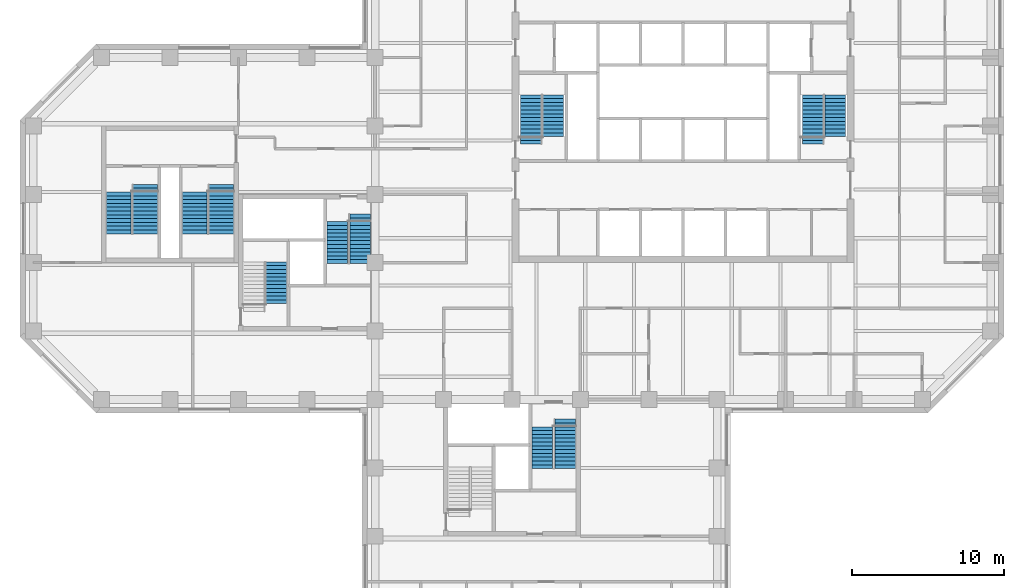
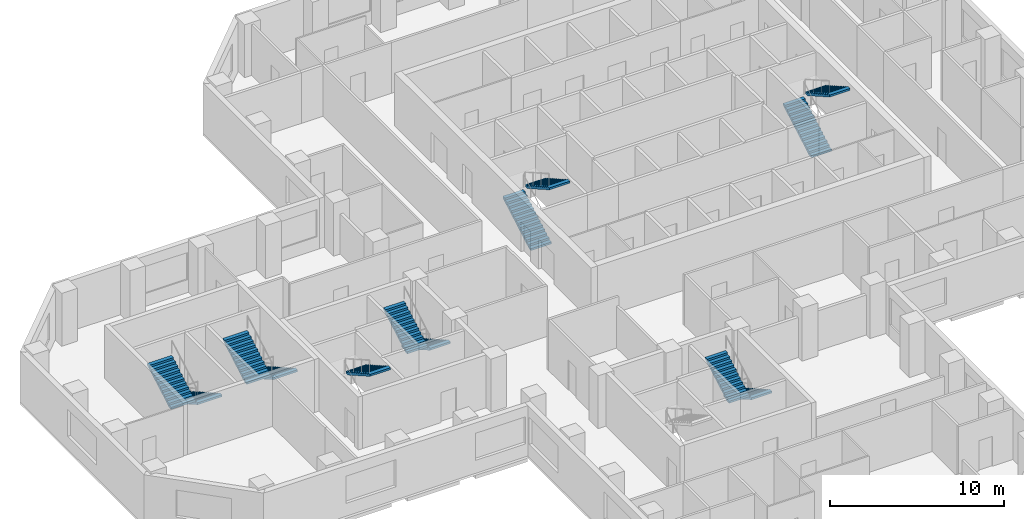
# One storey, part 10 of 11: 13 stair flights, 7 elements without a shape of their own.
"""IFC4 building model written with IfcOpenShell, lengths in metres."""

import ifcopenshell
import ifcopenshell.guid

model = None  # the IFC model being written
_history = None  # IfcOwnerHistory: only IFC2X3 demands one
_inside = {}  # id of a spatial element -> (the spatial element, [elements in it])
_under = {}  # id of a project, library or spatial element -> (it, [spatial elements below it])
_declared = {}  # id of a project -> (the project, [libraries it declares])
_typed = {}  # id of a type object -> (the type object, [elements of that type])
_made_of = {}  # id of a material, layer set ... -> (it, [elements and type objects made of it])


def new_model(schema):
    """Start an empty IFC model of exactly this schema.

    Asked for "IFC4X3", IfcOpenShell would pick the latest addendum, in which some entities
    have other attributes; the version numbers below select the first issue.
    IFC2X3 requires an IfcOwnerHistory on every rooted entity: one is made here for all.
    """
    global model, _history
    if schema == "IFC4X3":
        model = ifcopenshell.file(schema_version=(4, 3, 0, 0))
    else:
        model = ifcopenshell.file(schema=schema)
    _inside.clear()
    _under.clear()
    _declared.clear()
    _typed.clear()
    _made_of.clear()
    _history = None
    if model.schema == "IFC2X3":
        org = make("IfcOrganization", Name="unknown")
        user = make(
            "IfcPersonAndOrganization",
            ThePerson=make("IfcPerson", FamilyName="unknown"),
            TheOrganization=org,
        )
        app = make(
            "IfcApplication",
            ApplicationDeveloper=org,
            Version="unknown",
            ApplicationFullName="unknown",
            ApplicationIdentifier="unknown",
        )
        _history = make(
            "IfcOwnerHistory",
            OwningUser=user,
            OwningApplication=app,
            ChangeAction="ADDED",
            CreationDate=0,
        )
    return model


def make(cls, **values):
    """One entity of the class cls with the attributes given. An attribute that is None is left unset."""
    return model.create_entity(
        cls, **{name: value for name, value in values.items() if value is not None}
    )


def rooted(cls, **values):
    """An entity with a GlobalId (a new one), such as an element, a storey or a relation."""
    return make(cls, GlobalId=ifcopenshell.guid.new(), OwnerHistory=_history, **values)


def si_unit(unit_type, name, prefix=None):
    """IfcSIUnit, for example si_unit("LENGTHUNIT", "METRE", prefix="MILLI")."""
    return make("IfcSIUnit", UnitType=unit_type, Prefix=prefix, Name=name)


def assignment(units):
    """IfcUnitAssignment: the units of a project."""
    return None if units is None else make("IfcUnitAssignment", Units=units)


def point(xyz):
    """IfcCartesianPoint."""
    return None if xyz is None else make("IfcCartesianPoint", Coordinates=xyz)


def direction(xyz):
    """IfcDirection."""
    return None if xyz is None else make("IfcDirection", DirectionRatios=xyz)


def frame(location, z_axis=None, x_axis=None):
    """IfcAxis2Placement3D, a coordinate frame: its origin and axes. An axis left out is left unset."""
    return make(
        "IfcAxis2Placement3D",
        Location=point(location),
        Axis=direction(z_axis),
        RefDirection=direction(x_axis),
    )


def origin():
    """The frame at (0, 0, 0) with its axes left unset."""
    return frame((0.0, 0.0, 0.0))


def place(relative_to, where):
    """IfcLocalPlacement: puts the frame where relative to a parent placement (None: the world)."""
    return make(
        "IfcLocalPlacement", PlacementRelTo=relative_to, RelativePlacement=where
    )


def context(
    kind, dimensions, precision=None, world=None, true_north=None, identifier=None
):
    """IfcGeometricRepresentationContext, for example the 3D "Model" context."""
    return make(
        "IfcGeometricRepresentationContext",
        ContextIdentifier=identifier,
        ContextType=kind,
        CoordinateSpaceDimension=dimensions,
        Precision=precision,
        WorldCoordinateSystem=world,
        TrueNorth=true_north,
    )


def subcontext(parent, identifier, kind, view, scale=None):
    """IfcGeometricRepresentationSubContext, for example "Body" below "Model"."""
    return make(
        "IfcGeometricRepresentationSubContext",
        ContextIdentifier=identifier,
        ContextType=kind,
        ParentContext=parent,
        TargetScale=scale,
        TargetView=view,
    )


def project(units=None, contexts=None):
    """IfcProject with its units and contexts."""
    return rooted(
        "IfcProject",
        Name="project",
        RepresentationContexts=contexts,
        UnitsInContext=assignment(units),
    )


def spatial(cls, under=None, at=None, **own):
    """A site, building, storey or space (cls), placed at a placement, below another one or the project."""
    s = rooted(cls, ObjectPlacement=at, **own)
    if under is not None:
        _under.setdefault(under.id(), (under, []))[1].append(s)
    return s


def polyline(points):
    """IfcPolyline through the points."""
    return make("IfcPolyline", Points=[point(p) for p in points])


def outline(outer, holes=None, kind="AREA"):
    """IfcArbitraryClosedProfileDef: a profile drawn as a closed curve; with holes, ...WithVoids."""
    if holes is None:
        return make("IfcArbitraryClosedProfileDef", ProfileType=kind, OuterCurve=outer)
    return make(
        "IfcArbitraryProfileDefWithVoids",
        ProfileType=kind,
        OuterCurve=outer,
        InnerCurves=holes,
    )


def extrude(swept, where, along, depth):
    """IfcExtrudedAreaSolid: the profile swept, set in the frame where, extruded along a direction by depth."""
    return make(
        "IfcExtrudedAreaSolid",
        SweptArea=swept,
        Position=where,
        ExtrudedDirection=direction(along),
        Depth=depth,
    )


def shape(context_of_items, identifier, shape_type, items):
    """IfcShapeRepresentation: the items that make up one representation, for example the "Body"."""
    return make(
        "IfcShapeRepresentation",
        ContextOfItems=context_of_items,
        RepresentationIdentifier=identifier,
        RepresentationType=shape_type,
        Items=items,
    )


def material(Name=None, Category=None):
    """IfcMaterial."""
    return make("IfcMaterial", Name=Name, Category=Category)


def made_of(thing, what):
    """Note that an element or type object is made of a material, layer set ...; save() writes the relation."""
    if what is not None:
        _made_of.setdefault(what.id(), (what, []))[1].append(thing)
    return thing


def type_object(cls, material=None, **own):
    """A type object (cls), such as IfcWallType, which elements share."""
    return made_of(rooted(cls, **own), material)


def element(
    cls,
    number,
    at=None,
    inside=None,
    cuts=None,
    type_object=None,
    material=None,
    context=None,
    identifier="Body",
    shape_type=None,
    held_by="IfcProductDefinitionShape",
    body=None,
    shapes=None,
    **own,
):
    """One element of the class cls, such as IfcWall. Its Tag is "e" and its number.

    at: its placement. inside: the storey or other place that contains it. cuts: it is an
    opening in that element (IfcRelVoidsElement). A single representation is given by context,
    identifier, shape_type and body (its items); several are given by shapes. held_by: the class
    of the entity that holds the representations. save() writes the other relations.
    """
    e = rooted(cls, Tag="e%d" % number, ObjectPlacement=at, **own)
    if body is not None:
        shapes = [shape(context, identifier, shape_type, body)]
    if shapes is not None:
        e.Representation = make(held_by, Representations=shapes)
    if inside is not None:
        _inside.setdefault(inside.id(), (inside, []))[1].append(e)
    if cuts is not None:
        rooted(
            "IfcRelVoidsElement", RelatingBuildingElement=cuts, RelatedOpeningElement=e
        )
    if type_object is not None:
        _typed.setdefault(type_object.id(), (type_object, []))[1].append(e)
    return made_of(e, material)


def aggregate(whole, parts):
    """IfcRelAggregates: a whole, such as a stair, and the parts it consists of."""
    return rooted("IfcRelAggregates", RelatingObject=whole, RelatedObjects=parts)


def save(model, path):
    """Write the relations noted so far, then the file.

    IfcRelAggregates (storeys below a building ...), IfcRelContainedInSpatialStructure (elements
    in a storey), IfcRelDefinesByType, IfcRelAssociatesMaterial and IfcRelDeclares: one each for
    every whole, place, type object, material and project.
    """
    for whole, parts in _under.values():
        aggregate(whole, parts)
    for where, things in _inside.values():
        rooted(
            "IfcRelContainedInSpatialStructure",
            RelatedElements=things,
            RelatingStructure=where,
        )
    for kind, things in _typed.values():
        rooted("IfcRelDefinesByType", RelatedObjects=things, RelatingType=kind)
    for what, things in _made_of.values():
        rooted("IfcRelAssociatesMaterial", RelatedObjects=things, RelatingMaterial=what)
    for by, libraries in _declared.values():
        rooted("IfcRelDeclares", RelatingContext=by, RelatedDefinitions=libraries)
    model.write(path)


model = new_model("IFC4")

# Units and contexts
model_context = context("Model", 3, precision=1e-05, world=origin(), true_north=direction((0.0, 1.0)))
body_context = subcontext(model_context, "Body", "Model", "MODEL_VIEW")
ifc_project = project(units=[si_unit("LENGTHUNIT", "METRE"), si_unit("AREAUNIT", "SQUARE_METRE"), si_unit("VOLUMEUNIT", "CUBIC_METRE"), si_unit("PLANEANGLEUNIT", "RADIAN"), si_unit("MASSUNIT", "GRAM", prefix="KILO")], contexts=[model_context])

# Site, building, storey
site_placement = place(None, origin())
site = spatial("IfcSite", under=ifc_project, at=site_placement, CompositionType="ELEMENT")
building_placement = place(site_placement, origin())
building = spatial("IfcBuilding", under=site, at=building_placement, Name="Quoin Convention Tower", CompositionType="ELEMENT")
storey_placement = place(building_placement, frame((0.0, 0.0, 134.39990234375)))
storey = spatial("IfcBuildingStorey", under=building, at=storey_placement, Name="L35", CompositionType="ELEMENT", Elevation=134.39990234375)

# Stair, stair flights
ifc_material = material(Name="Concrete C40", Category="concrete")
stair_type_1 = type_object("IfcStairType", Name="Exit stair two-flight 1350", PredefinedType="HALF_TURN_STAIR", material=ifc_material)
stair_1_placement = place(storey_placement, origin())
stair_1 = element("IfcStair", 1, at=stair_1_placement, inside=storey, type_object=stair_type_1, Name="SD1 L35", PredefinedType="HALF_TURN_STAIR")
stair_flight_type_1 = type_object("IfcStairFlightType", Name="Stair flight 1350", PredefinedType="STRAIGHT", material=ifc_material)
stair_flight_1_placement = place(storey_placement, frame((46.22509765625, 57.300048828125, 0.0), z_axis=(0.0, 0.0, 1.0), x_axis=(0.0, 1.0, 0.0)))
stair_flight_1 = element("IfcStairFlight", 2, at=stair_flight_1_placement, type_object=stair_flight_type_1, Name="ST1 flight 1", NumberOfRisers=14, NumberOfTreads=13, PredefinedType="STRAIGHT", RiserHeight=0.142307692, TreadLength=0.25, context=body_context, shape_type="SweptSolid", body=[
    extrude(outline(polyline([(0.0, 0.0), (0.0, 0.142333984375), (0.25, 0.142333984375), (0.25, 0.28466796875), (0.5, 0.28466796875), (0.5, 0.427001953125), (0.75, 0.427001953125), (0.75, 0.5693359375), (1.0, 0.5693359375), (1.0, 0.71142578125), (1.25, 0.71142578125), (1.25, 0.853759765625), (1.5, 0.853759765625), (1.5, 0.99609375), (1.75, 0.99609375), (1.75, 1.138427734375), (2.0, 1.138427734375), (2.0, 1.28076171875), (2.25, 1.28076171875), (2.25, 1.423095703125), (2.5, 1.423095703125), (2.5, 1.5654296875), (2.75, 1.5654296875), (2.75, 1.707763671875), (3.0, 1.707763671875), (3.0, 1.85009765625), (3.25, 1.85009765625), (3.25, 1.9921875), (3.25, 1.711669921875), (0.242919921875, 0.0), (0.0, 0.0)])), frame((0.0, 0.675048828125, 0.0), z_axis=(0.0, -1.0, 0.0), x_axis=(1.0, 0.0, 0.0)), (0.0, 0.0, 1.0), 1.35009765625),
])
stair_flight_2_placement = place(storey_placement, frame((47.72509765625, 60.550048828125, 1.992431640625), z_axis=(0.0, 0.0, 1.0), x_axis=(0.0, -1.0, 0.0)))
stair_flight_2 = element("IfcStairFlight", 3, at=stair_flight_2_placement, type_object=stair_flight_type_1, Name="ST1 flight 2", NumberOfRisers=12, NumberOfTreads=11, PredefinedType="STRAIGHT", RiserHeight=0.142307692, TreadLength=0.25, context=body_context, shape_type="SweptSolid", body=[
    extrude(outline(polyline([(0.0, 0.0), (0.0, 0.142333984375), (0.25, 0.142333984375), (0.25, 0.28466796875), (0.5, 0.28466796875), (0.5, 0.427001953125), (0.75, 0.427001953125), (0.75, 0.5693359375), (1.0, 0.5693359375), (1.0, 0.71142578125), (1.25, 0.71142578125), (1.25, 0.853759765625), (1.5, 0.853759765625), (1.5, 0.99609375), (1.75, 0.99609375), (1.75, 1.138427734375), (2.0, 1.138427734375), (2.0, 1.28076171875), (2.25, 1.28076171875), (2.25, 1.423095703125), (2.5, 1.423095703125), (2.5, 1.5654296875), (2.75, 1.5654296875), (2.75, 1.707763671875), (2.75, 1.42724609375), (0.242919921875, 0.0), (0.0, 0.0)])), frame((0.0, 0.675048828125, 0.0), z_axis=(0.0, -1.0, 0.0), x_axis=(1.0, 0.0, 0.0)), (0.0, 0.0, 1.0), 1.35009765625),
])
aggregate(stair_1, [stair_flight_1, stair_flight_2])

stair_2_placement = place(storey_placement, origin())
stair_2 = element("IfcStair", 4, at=stair_2_placement, inside=storey, type_object=stair_type_1, Name="SD2 L35", PredefinedType="HALF_TURN_STAIR")
stair_flight_3_placement = place(storey_placement, frame((64.77490234375, 57.300048828125, 0.0), z_axis=(0.0, 0.0, 1.0), x_axis=(0.0, 1.0, 0.0)))
stair_flight_3 = element("IfcStairFlight", 5, at=stair_flight_3_placement, type_object=stair_flight_type_1, Name="ST2 flight 1", NumberOfRisers=14, NumberOfTreads=13, PredefinedType="STRAIGHT", RiserHeight=0.142307692, TreadLength=0.25, context=body_context, shape_type="SweptSolid", body=[
    extrude(outline(polyline([(0.0, 0.0), (0.0, 0.142333984375), (0.25, 0.142333984375), (0.25, 0.28466796875), (0.5, 0.28466796875), (0.5, 0.427001953125), (0.75, 0.427001953125), (0.75, 0.5693359375), (1.0, 0.5693359375), (1.0, 0.71142578125), (1.25, 0.71142578125), (1.25, 0.853759765625), (1.5, 0.853759765625), (1.5, 0.99609375), (1.75, 0.99609375), (1.75, 1.138427734375), (2.0, 1.138427734375), (2.0, 1.28076171875), (2.25, 1.28076171875), (2.25, 1.423095703125), (2.5, 1.423095703125), (2.5, 1.5654296875), (2.75, 1.5654296875), (2.75, 1.707763671875), (3.0, 1.707763671875), (3.0, 1.85009765625), (3.25, 1.85009765625), (3.25, 1.9921875), (3.25, 1.711669921875), (0.242919921875, 0.0), (0.0, 0.0)])), frame((0.0, 0.675048828125, 0.0), z_axis=(0.0, -1.0, 0.0), x_axis=(1.0, 0.0, 0.0)), (0.0, 0.0, 1.0), 1.35009765625),
])
stair_flight_4_placement = place(storey_placement, frame((66.27490234375, 60.550048828125, 1.992431640625), z_axis=(0.0, 0.0, 1.0), x_axis=(0.0, -1.0, 0.0)))
stair_flight_4 = element("IfcStairFlight", 6, at=stair_flight_4_placement, type_object=stair_flight_type_1, Name="ST2 flight 2", NumberOfRisers=12, NumberOfTreads=11, PredefinedType="STRAIGHT", RiserHeight=0.142307692, TreadLength=0.25, context=body_context, shape_type="SweptSolid", body=[
    extrude(outline(polyline([(0.0, 0.0), (0.0, 0.142333984375), (0.25, 0.142333984375), (0.25, 0.28466796875), (0.5, 0.28466796875), (0.5, 0.427001953125), (0.75, 0.427001953125), (0.75, 0.5693359375), (1.0, 0.5693359375), (1.0, 0.71142578125), (1.25, 0.71142578125), (1.25, 0.853759765625), (1.5, 0.853759765625), (1.5, 0.99609375), (1.75, 0.99609375), (1.75, 1.138427734375), (2.0, 1.138427734375), (2.0, 1.28076171875), (2.25, 1.28076171875), (2.25, 1.423095703125), (2.5, 1.423095703125), (2.5, 1.5654296875), (2.75, 1.5654296875), (2.75, 1.707763671875), (2.75, 1.42724609375), (0.242919921875, 0.0), (0.0, 0.0)])), frame((0.0, 0.675048828125, 0.0), z_axis=(0.0, -1.0, 0.0), x_axis=(1.0, 0.0, 0.0)), (0.0, 0.0, 1.0), 1.35009765625),
])
aggregate(stair_2, [stair_flight_3, stair_flight_4])

# Stair, stair flight
stair_3_placement = place(storey_placement, origin())
stair_3 = element("IfcStair", 7, at=stair_3_placement, inside=storey, type_object=stair_type_1, Name="SD3 L35", PredefinedType="HALF_TURN_STAIR")
stair_flight_5_placement = place(storey_placement, frame((29.5, 49.550048828125, 1.992431640625), z_axis=(0.0, 0.0, 1.0), x_axis=(0.0, -1.0, 0.0)))
stair_flight_5 = element("IfcStairFlight", 8, at=stair_flight_5_placement, type_object=stair_flight_type_1, Name="ST3 flight 2", NumberOfRisers=12, NumberOfTreads=11, PredefinedType="STRAIGHT", RiserHeight=0.142307692, TreadLength=0.25, context=body_context, shape_type="SweptSolid", body=[
    extrude(outline(polyline([(0.0, 0.0), (0.0, 0.142333984375), (0.25, 0.142333984375), (0.25, 0.28466796875), (0.5, 0.28466796875), (0.5, 0.427001953125), (0.75, 0.427001953125), (0.75, 0.5693359375), (1.0, 0.5693359375), (1.0, 0.71142578125), (1.25, 0.71142578125), (1.25, 0.853759765625), (1.5, 0.853759765625), (1.5, 0.99609375), (1.75, 0.99609375), (1.75, 1.138427734375), (2.0, 1.138427734375), (2.0, 1.28076171875), (2.25, 1.28076171875), (2.25, 1.423095703125), (2.5, 1.423095703125), (2.5, 1.5654296875), (2.75, 1.5654296875), (2.75, 1.707763671875), (2.75, 1.42724609375), (0.242919921875, 0.0), (0.0, 0.0)])), frame((0.0, 0.675048828125, 0.0), z_axis=(0.0, -1.0, 0.0), x_axis=(1.0, 0.0, 0.0)), (0.0, 0.0, 1.0), 1.35009765625),
])
aggregate(stair_3, [stair_flight_5])

# Stair, stair flights
stair_4_placement = place(storey_placement, origin())
stair_4 = element("IfcStair", 9, at=stair_4_placement, inside=storey, type_object=stair_type_1, Name="SD4 L35", PredefinedType="HALF_TURN_STAIR")
stair_flight_6_placement = place(storey_placement, frame((35.0, 52.699951171875, 0.0), z_axis=(0.0, 0.0, 1.0), x_axis=(0.0, -1.0, 0.0)))
stair_flight_6 = element("IfcStairFlight", 10, at=stair_flight_6_placement, type_object=stair_flight_type_1, Name="ST4 flight 1", NumberOfRisers=14, NumberOfTreads=13, PredefinedType="STRAIGHT", RiserHeight=0.142307692, TreadLength=0.25, context=body_context, shape_type="SweptSolid", body=[
    extrude(outline(polyline([(0.0, 0.0), (0.0, 0.142333984375), (0.25, 0.142333984375), (0.25, 0.28466796875), (0.5, 0.28466796875), (0.5, 0.427001953125), (0.75, 0.427001953125), (0.75, 0.5693359375), (1.0, 0.5693359375), (1.0, 0.71142578125), (1.25, 0.71142578125), (1.25, 0.853759765625), (1.5, 0.853759765625), (1.5, 0.99609375), (1.75, 0.99609375), (1.75, 1.138427734375), (2.0, 1.138427734375), (2.0, 1.28076171875), (2.25, 1.28076171875), (2.25, 1.423095703125), (2.5, 1.423095703125), (2.5, 1.5654296875), (2.75, 1.5654296875), (2.75, 1.707763671875), (3.0, 1.707763671875), (3.0, 1.85009765625), (3.25, 1.85009765625), (3.25, 1.9921875), (3.25, 1.711669921875), (0.242919921875, 0.0), (0.0, 0.0)])), frame((0.0, 0.675048828125, 0.0), z_axis=(0.0, -1.0, 0.0), x_axis=(1.0, 0.0, 0.0)), (0.0, 0.0, 1.0), 1.35009765625),
])
stair_flight_7_placement = place(storey_placement, frame((33.5, 49.449951171875, 1.992431640625), z_axis=(0.0, 0.0, 1.0), x_axis=(0.0, 1.0, 0.0)))
stair_flight_7 = element("IfcStairFlight", 11, at=stair_flight_7_placement, type_object=stair_flight_type_1, Name="ST4 flight 2", NumberOfRisers=12, NumberOfTreads=11, PredefinedType="STRAIGHT", RiserHeight=0.142307692, TreadLength=0.25, context=body_context, shape_type="SweptSolid", body=[
    extrude(outline(polyline([(0.0, 0.0), (0.0, 0.142333984375), (0.25, 0.142333984375), (0.25, 0.28466796875), (0.5, 0.28466796875), (0.5, 0.427001953125), (0.75, 0.427001953125), (0.75, 0.5693359375), (1.0, 0.5693359375), (1.0, 0.71142578125), (1.25, 0.71142578125), (1.25, 0.853759765625), (1.5, 0.853759765625), (1.5, 0.99609375), (1.75, 0.99609375), (1.75, 1.138427734375), (2.0, 1.138427734375), (2.0, 1.28076171875), (2.25, 1.28076171875), (2.25, 1.423095703125), (2.5, 1.423095703125), (2.5, 1.5654296875), (2.75, 1.5654296875), (2.75, 1.707763671875), (2.75, 1.42724609375), (0.242919921875, 0.0), (0.0, 0.0)])), frame((0.0, 0.675048828125, 0.0), z_axis=(0.0, -1.0, 0.0), x_axis=(1.0, 0.0, 0.0)), (0.0, 0.0, 1.0), 1.35009765625),
])
aggregate(stair_4, [stair_flight_6, stair_flight_7])

stair_5_placement = place(storey_placement, origin())
stair_5 = element("IfcStair", 12, at=stair_5_placement, inside=storey, type_object=stair_type_1, Name="SD6 L35", PredefinedType="HALF_TURN_STAIR")
stair_flight_8_placement = place(storey_placement, frame((48.5, 39.199951171875, 0.0), z_axis=(0.0, 0.0, 1.0), x_axis=(0.0, -1.0, 0.0)))
stair_flight_8 = element("IfcStairFlight", 13, at=stair_flight_8_placement, type_object=stair_flight_type_1, Name="ST6 flight 1", NumberOfRisers=14, NumberOfTreads=13, PredefinedType="STRAIGHT", RiserHeight=0.142307692, TreadLength=0.25, context=body_context, shape_type="SweptSolid", body=[
    extrude(outline(polyline([(0.0, 0.0), (0.0, 0.142333984375), (0.25, 0.142333984375), (0.25, 0.28466796875), (0.5, 0.28466796875), (0.5, 0.427001953125), (0.75, 0.427001953125), (0.75, 0.5693359375), (1.0, 0.5693359375), (1.0, 0.71142578125), (1.25, 0.71142578125), (1.25, 0.853759765625), (1.5, 0.853759765625), (1.5, 0.99609375), (1.75, 0.99609375), (1.75, 1.138427734375), (2.0, 1.138427734375), (2.0, 1.28076171875), (2.25, 1.28076171875), (2.25, 1.423095703125), (2.5, 1.423095703125), (2.5, 1.5654296875), (2.75, 1.5654296875), (2.75, 1.707763671875), (3.0, 1.707763671875), (3.0, 1.85009765625), (3.25, 1.85009765625), (3.25, 1.9921875), (3.25, 1.711669921875), (0.242919921875, 0.0), (0.0, 0.0)])), frame((0.0, 0.675048828125, 0.0), z_axis=(0.0, -1.0, 0.0), x_axis=(1.0, 0.0, 0.0)), (0.0, 0.0, 1.0), 1.35009765625),
])
stair_flight_9_placement = place(storey_placement, frame((47.0, 35.949951171875, 1.992431640625), z_axis=(0.0, 0.0, 1.0), x_axis=(0.0, 1.0, 0.0)))
stair_flight_9 = element("IfcStairFlight", 14, at=stair_flight_9_placement, type_object=stair_flight_type_1, Name="ST6 flight 2", NumberOfRisers=12, NumberOfTreads=11, PredefinedType="STRAIGHT", RiserHeight=0.142307692, TreadLength=0.25, context=body_context, shape_type="SweptSolid", body=[
    extrude(outline(polyline([(0.0, 0.0), (0.0, 0.142333984375), (0.25, 0.142333984375), (0.25, 0.28466796875), (0.5, 0.28466796875), (0.5, 0.427001953125), (0.75, 0.427001953125), (0.75, 0.5693359375), (1.0, 0.5693359375), (1.0, 0.71142578125), (1.25, 0.71142578125), (1.25, 0.853759765625), (1.5, 0.853759765625), (1.5, 0.99609375), (1.75, 0.99609375), (1.75, 1.138427734375), (2.0, 1.138427734375), (2.0, 1.28076171875), (2.25, 1.28076171875), (2.25, 1.423095703125), (2.5, 1.423095703125), (2.5, 1.5654296875), (2.75, 1.5654296875), (2.75, 1.707763671875), (2.75, 1.42724609375), (0.242919921875, 0.0), (0.0, 0.0)])), frame((0.0, 0.675048828125, 0.0), z_axis=(0.0, -1.0, 0.0), x_axis=(1.0, 0.0, 0.0)), (0.0, 0.0, 1.0), 1.35009765625),
])
aggregate(stair_5, [stair_flight_8, stair_flight_9])

stair_type_2 = type_object("IfcStairType", Name="Exit stair two-flight 1600", PredefinedType="HALF_TURN_STAIR", material=ifc_material)
stair_6_placement = place(storey_placement, origin())
stair_6 = element("IfcStair", 15, at=stair_6_placement, inside=storey, type_object=stair_type_2, Name="SD11 L35", PredefinedType="HALF_TURN_STAIR")
stair_flight_type_2 = type_object("IfcStairFlightType", Name="Stair flight 1600", PredefinedType="STRAIGHT", material=ifc_material)
stair_flight_10_placement = place(storey_placement, frame((20.875, 54.64990234375, 0.0), z_axis=(0.0, 0.0, 1.0), x_axis=(0.0, -1.0, 0.0)))
stair_flight_10 = element("IfcStairFlight", 16, at=stair_flight_10_placement, type_object=stair_flight_type_2, Name="ST11 flight 1", NumberOfRisers=14, NumberOfTreads=13, PredefinedType="STRAIGHT", RiserHeight=0.142307692, TreadLength=0.25, context=body_context, shape_type="SweptSolid", body=[
    extrude(outline(polyline([(0.0, 0.0), (0.0, 0.142333984375), (0.25, 0.142333984375), (0.25, 0.28466796875), (0.5, 0.28466796875), (0.5, 0.427001953125), (0.75, 0.427001953125), (0.75, 0.5693359375), (1.0, 0.5693359375), (1.0, 0.71142578125), (1.25, 0.71142578125), (1.25, 0.853759765625), (1.5, 0.853759765625), (1.5, 0.99609375), (1.75, 0.99609375), (1.75, 1.138427734375), (2.0, 1.138427734375), (2.0, 1.28076171875), (2.25, 1.28076171875), (2.25, 1.423095703125), (2.5, 1.423095703125), (2.5, 1.5654296875), (2.75, 1.5654296875), (2.75, 1.707763671875), (3.0, 1.707763671875), (3.0, 1.85009765625), (3.25, 1.85009765625), (3.25, 1.9921875), (3.25, 1.711669921875), (0.242919921875, 0.0), (0.0, 0.0)])), frame((0.0, 0.800048828125, 0.0), z_axis=(0.0, -1.0, 0.0), x_axis=(1.0, 0.0, 0.0)), (0.0, 0.0, 1.0), 1.60009765625),
])
stair_flight_11_placement = place(storey_placement, frame((19.125, 51.39990234375, 1.992431640625), z_axis=(0.0, 0.0, 1.0), x_axis=(0.0, 1.0, 0.0)))
stair_flight_11 = element("IfcStairFlight", 17, at=stair_flight_11_placement, type_object=stair_flight_type_2, Name="ST11 flight 2", NumberOfRisers=12, NumberOfTreads=11, PredefinedType="STRAIGHT", RiserHeight=0.142307692, TreadLength=0.25, context=body_context, shape_type="SweptSolid", body=[
    extrude(outline(polyline([(0.0, 0.0), (0.0, 0.142333984375), (0.25, 0.142333984375), (0.25, 0.28466796875), (0.5, 0.28466796875), (0.5, 0.427001953125), (0.75, 0.427001953125), (0.75, 0.5693359375), (1.0, 0.5693359375), (1.0, 0.71142578125), (1.25, 0.71142578125), (1.25, 0.853759765625), (1.5, 0.853759765625), (1.5, 0.99609375), (1.75, 0.99609375), (1.75, 1.138427734375), (2.0, 1.138427734375), (2.0, 1.28076171875), (2.25, 1.28076171875), (2.25, 1.423095703125), (2.5, 1.423095703125), (2.5, 1.5654296875), (2.75, 1.5654296875), (2.75, 1.707763671875), (2.75, 1.42724609375), (0.242919921875, 0.0), (0.0, 0.0)])), frame((0.0, 0.800048828125, 0.0), z_axis=(0.0, -1.0, 0.0), x_axis=(1.0, 0.0, 0.0)), (0.0, 0.0, 1.0), 1.60009765625),
])
aggregate(stair_6, [stair_flight_10, stair_flight_11])

stair_7_placement = place(storey_placement, origin())
stair_7 = element("IfcStair", 18, at=stair_7_placement, inside=storey, type_object=stair_type_2, Name="SD12 L35", PredefinedType="HALF_TURN_STAIR")
stair_flight_12_placement = place(storey_placement, frame((25.875, 54.64990234375, 0.0), z_axis=(0.0, 0.0, 1.0), x_axis=(0.0, -1.0, 0.0)))
stair_flight_12 = element("IfcStairFlight", 19, at=stair_flight_12_placement, type_object=stair_flight_type_2, Name="ST12 flight 1", NumberOfRisers=14, NumberOfTreads=13, PredefinedType="STRAIGHT", RiserHeight=0.142307692, TreadLength=0.25, context=body_context, shape_type="SweptSolid", body=[
    extrude(outline(polyline([(0.0, 0.0), (0.0, 0.142333984375), (0.25, 0.142333984375), (0.25, 0.28466796875), (0.5, 0.28466796875), (0.5, 0.427001953125), (0.75, 0.427001953125), (0.75, 0.5693359375), (1.0, 0.5693359375), (1.0, 0.71142578125), (1.25, 0.71142578125), (1.25, 0.853759765625), (1.5, 0.853759765625), (1.5, 0.99609375), (1.75, 0.99609375), (1.75, 1.138427734375), (2.0, 1.138427734375), (2.0, 1.28076171875), (2.25, 1.28076171875), (2.25, 1.423095703125), (2.5, 1.423095703125), (2.5, 1.5654296875), (2.75, 1.5654296875), (2.75, 1.707763671875), (3.0, 1.707763671875), (3.0, 1.85009765625), (3.25, 1.85009765625), (3.25, 1.9921875), (3.25, 1.711669921875), (0.242919921875, 0.0), (0.0, 0.0)])), frame((0.0, 0.800048828125, 0.0), z_axis=(0.0, -1.0, 0.0), x_axis=(1.0, 0.0, 0.0)), (0.0, 0.0, 1.0), 1.60009765625),
])
stair_flight_13_placement = place(storey_placement, frame((24.125, 51.39990234375, 1.992431640625), z_axis=(0.0, 0.0, 1.0), x_axis=(0.0, 1.0, 0.0)))
stair_flight_13 = element("IfcStairFlight", 20, at=stair_flight_13_placement, type_object=stair_flight_type_2, Name="ST12 flight 2", NumberOfRisers=12, NumberOfTreads=11, PredefinedType="STRAIGHT", RiserHeight=0.142307692, TreadLength=0.25, context=body_context, shape_type="SweptSolid", body=[
    extrude(outline(polyline([(0.0, 0.0), (0.0, 0.142333984375), (0.25, 0.142333984375), (0.25, 0.28466796875), (0.5, 0.28466796875), (0.5, 0.427001953125), (0.75, 0.427001953125), (0.75, 0.5693359375), (1.0, 0.5693359375), (1.0, 0.71142578125), (1.25, 0.71142578125), (1.25, 0.853759765625), (1.5, 0.853759765625), (1.5, 0.99609375), (1.75, 0.99609375), (1.75, 1.138427734375), (2.0, 1.138427734375), (2.0, 1.28076171875), (2.25, 1.28076171875), (2.25, 1.423095703125), (2.5, 1.423095703125), (2.5, 1.5654296875), (2.75, 1.5654296875), (2.75, 1.707763671875), (2.75, 1.42724609375), (0.242919921875, 0.0), (0.0, 0.0)])), frame((0.0, 0.800048828125, 0.0), z_axis=(0.0, -1.0, 0.0), x_axis=(1.0, 0.0, 0.0)), (0.0, 0.0, 1.0), 1.60009765625),
])
aggregate(stair_7, [stair_flight_12, stair_flight_13])

save(model, "model.ifc")
